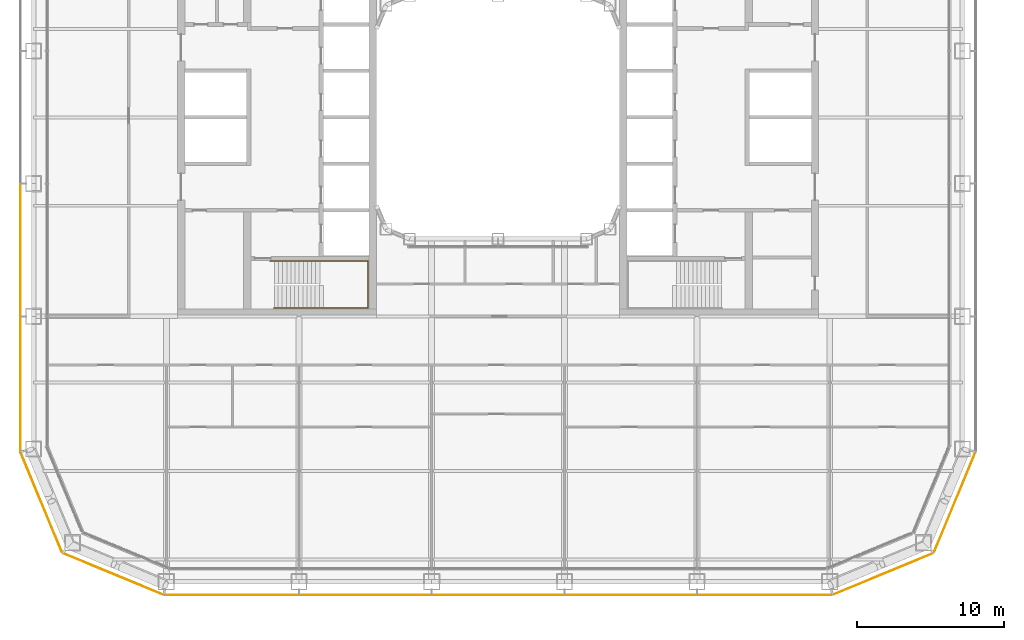
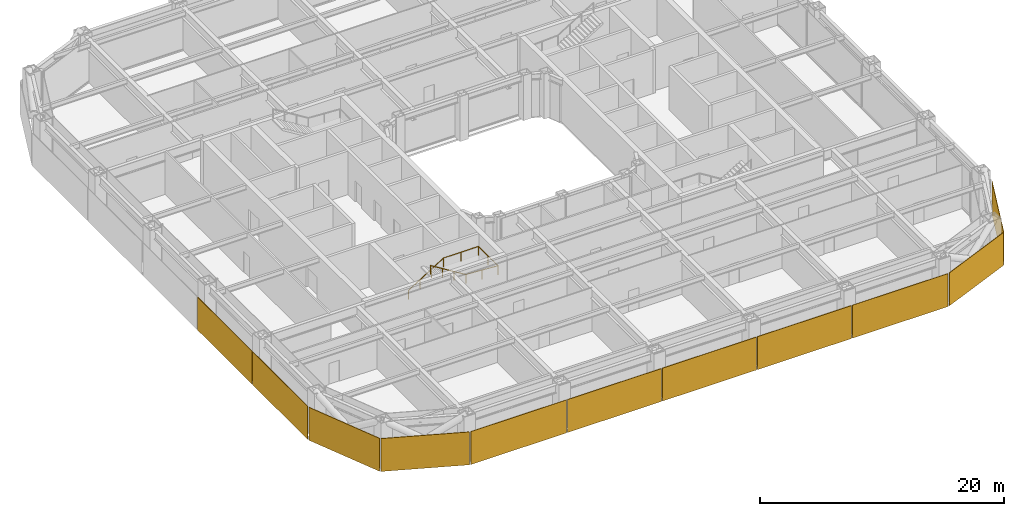
# One storey, part 25 of 30: 11 coverings, 1 railing.
"""IFC4 building model written with IfcOpenShell, lengths in metres."""

from ifc_helpers import new_model, si_unit, direction, frame, origin, origin_2d, place, context, subcontext, project, spatial, rectangle, circle, extrude, material, layer, layer_set, type_object, element, save


model = new_model("IFC4")

# Units and contexts
model_context = context("Model", 3, precision=1e-05, world=origin(), true_north=direction((0.0, 1.0)))
body_context = subcontext(model_context, "Body", "Model", "MODEL_VIEW")
ifc_project = project(units=[si_unit("LENGTHUNIT", "METRE"), si_unit("AREAUNIT", "SQUARE_METRE"), si_unit("VOLUMEUNIT", "CUBIC_METRE"), si_unit("PLANEANGLEUNIT", "RADIAN"), si_unit("MASSUNIT", "GRAM", prefix="KILO")], contexts=[model_context])

# Site, building, storey
site_placement = place(None, origin())
site = spatial("IfcSite", under=ifc_project, at=site_placement, CompositionType="ELEMENT")
building_placement = place(site_placement, origin())
building = spatial("IfcBuilding", under=site, at=building_placement, Name="Siwar Civic Tower", CompositionType="ELEMENT")
storey_placement = place(building_placement, frame((0.0, 0.0, 44.699951171875)))
storey = spatial("IfcBuildingStorey", under=building, at=storey_placement, Name="L09", CompositionType="ELEMENT", Elevation=44.699951171875)

# Railing
ifc_material_1 = material(Name="Stainless steel", Category="steel")
railing_type = type_object("IfcRailingType", Name="CORE-STAIR-HANDRAIL", PredefinedType="HANDRAIL", material=ifc_material_1)
railing_placement = place(storey_placement, frame((-15.449951171875, -9.758056640625, 0.173095703125)))
element("IfcRailing", 1, at=railing_placement, inside=storey, type_object=railing_type, Name="Stair handrail ST2", PredefinedType="HANDRAIL", context=body_context, shape_type="SweptSolid", body=[
    extrude(circle(Radius=0.02001953125, at=origin_2d()), frame((0.0, 0.0, 0.8798828125), z_axis=(0.847063342986, 0.0, 0.531491950051), x_axis=(0.0, 1.0, 0.0)), (0.0, 0.0, 1.0), 3.90771484375),
    extrude(circle(Radius=0.02001953125, at=origin_2d()), frame((3.31005859375, 0.0, 2.956787109375), z_axis=(1.0, 0.0, 0.0), x_axis=(0.0, 1.0, 0.0)), (0.0, 0.0, 1.0), 3.331787109375),
    extrude(circle(Radius=0.02001953125, at=origin_2d()), frame((6.641845703125, 0.0, 2.956787109375), z_axis=(0.0, -1.0, 0.0), x_axis=(1.0, 0.0, 0.0)), (0.0, 0.0, 1.0), 3.183837890625),
    extrude(circle(Radius=0.02001953125, at=origin_2d()), frame((6.641845703125, -3.183837890625, 2.956787109375), z_axis=(-0.99837434197, 0.0, 0.056997134106), x_axis=(0.0, -1.0, 0.0)), (0.0, 0.0, 1.0), 3.036865234375),
    extrude(circle(Radius=0.02001953125, at=origin_2d()), frame((3.60986328125, -3.183837890625, 3.1298828125), z_axis=(-0.850606129759, 0.0, 0.525803396734), x_axis=(0.0, -1.0, 0.0)), (0.0, 0.0, 1.0), 3.949951171875),
    extrude(circle(Radius=0.02001953125, at=origin_2d()), origin(), (0.0, 0.0, 1.0), 0.85986328125),
    extrude(circle(Radius=0.02001953125, at=origin_2d()), frame((1.103271484375, 0.0, 0.6923828125)), (0.0, 0.0, 1.0), 0.85986328125),
    extrude(circle(Radius=0.02001953125, at=origin_2d()), frame((2.206787109375, 0.0, 1.384521484375)), (0.0, 0.0, 1.0), 0.85986328125),
    extrude(circle(Radius=0.02001953125, at=origin_2d()), frame((3.31005859375, 0.0, 2.076904296875)), (0.0, 0.0, 1.0), 0.85986328125),
    extrude(circle(Radius=0.02001953125, at=origin_2d()), frame((4.97607421875, 0.0, 2.076904296875)), (0.0, 0.0, 1.0), 0.85986328125),
    extrude(circle(Radius=0.02001953125, at=origin_2d()), frame((6.641845703125, 0.0, 2.076904296875)), (0.0, 0.0, 1.0), 0.85986328125),
    extrude(circle(Radius=0.02001953125, at=origin_2d()), frame((6.641845703125, -1.591796875, 2.076904296875)), (0.0, 0.0, 1.0), 0.85986328125),
    extrude(circle(Radius=0.02001953125, at=origin_2d()), frame((6.641845703125, -3.183837890625, 2.076904296875)), (0.0, 0.0, 1.0), 0.85986328125),
    extrude(circle(Radius=0.02001953125, at=origin_2d()), frame((5.1259765625, -3.183837890625, 2.16357421875)), (0.0, 0.0, 1.0), 0.85986328125),
    extrude(circle(Radius=0.02001953125, at=origin_2d()), frame((3.60986328125, -3.183837890625, 2.25)), (0.0, 0.0, 1.0), 0.85986328125),
    extrude(circle(Radius=0.02001953125, at=origin_2d()), frame((2.489990234375, -3.183837890625, 2.9423828125)), (0.0, 0.0, 1.0), 0.85986328125),
    extrude(circle(Radius=0.02001953125, at=origin_2d()), frame((1.369873046875, -3.183837890625, 3.634521484375)), (0.0, 0.0, 1.0), 0.85986328125),
    extrude(circle(Radius=0.02001953125, at=origin_2d()), frame((0.25, -3.183837890625, 4.326904296875)), (0.0, 0.0, 1.0), 0.85986328125),
])

# Coverings
ifc_material_2 = material(Name="Perforated aluminium cassette, pale metal", Category="aluminium")
ifc_layer_1 = layer(ifc_material_2, 0.044921875)
ifc_layer_set_1 = layer_set([ifc_layer_1], Name="Perforated aluminium cassette, pale metal")
covering_type_1 = type_object("IfcCoveringType", Name="ENV-OUTER SKIN OS-2", PredefinedType="CLADDING", material=ifc_layer_set_1)
covering_1_placement = place(storey_placement, frame((30.976318359375, -26.115966796875, -0.14990234375), z_axis=(0.0, 0.0, 1.0), x_axis=(0.382683432365, 0.923879532511, 0.0)))
element("IfcCovering", 2, at=covering_1_placement, inside=storey, type_object=covering_type_1, Name="OUTER SKIN OS-2 SE2 1", PredefinedType="CLADDING", context=body_context, shape_type="SweptSolid", body=[
    extrude(rectangle(XDim=7.300048828125, YDim=0.044921875, at=origin_2d()), origin(), (0.0, 0.0, 1.0), 3.300048828125),
])
ifc_material_3 = material(Name="Perforated aluminium cassette, pale metal", Category="aluminium")
ifc_layer_2 = layer(ifc_material_3, 0.050048828125)
ifc_layer_set_2 = layer_set([ifc_layer_2], Name="Perforated aluminium cassette, pale metal")
covering_type_2 = type_object("IfcCoveringType", Name="ENV-OUTER SKIN OS-3", PredefinedType="CLADDING", material=ifc_layer_set_2)
covering_2_placement = place(storey_placement, frame((26.115966796875, -30.976318359375, -0.14990234375), z_axis=(0.0, 0.0, 1.0), x_axis=(0.923879532511, 0.382683432365, 0.0)))
element("IfcCovering", 3, at=covering_2_placement, inside=storey, type_object=covering_type_2, Name="OUTER SKIN OS-3 SE1 1", PredefinedType="CLADDING", context=body_context, shape_type="SweptSolid", body=[
    extrude(rectangle(XDim=7.300048828125, YDim=0.050048828125, at=origin_2d()), origin(), (0.0, 0.0, 1.0), 3.300048828125),
])
covering_3_placement = place(storey_placement, frame((-32.39990234375, -9.0, -0.14990234375), z_axis=(0.0, 0.0, 1.0), x_axis=(0.0, -1.0, 0.0)))
element("IfcCovering", 4, at=covering_3_placement, inside=storey, type_object=covering_type_2, Name="OUTER SKIN OS-3 W 4", PredefinedType="CLADDING", context=body_context, shape_type="SweptSolid", body=[
    extrude(rectangle(XDim=8.89990234375, YDim=0.050048828125, at=origin_2d()), origin(), (0.0, 0.0, 1.0), 3.300048828125),
])
covering_4_placement = place(storey_placement, frame((-32.39990234375, -18.07958984375, -0.14990234375), z_axis=(0.0, 0.0, 1.0), x_axis=(0.0, -1.0, 0.0)))
element("IfcCovering", 5, at=covering_4_placement, inside=storey, type_object=covering_type_2, Name="OUTER SKIN OS-3 W 5", PredefinedType="CLADDING", context=body_context, shape_type="SweptSolid", body=[
    extrude(rectangle(XDim=9.05908203125, YDim=0.050048828125, at=origin_2d()), origin(), (0.0, 0.0, 1.0), 3.300048828125),
])
ifc_material_4 = material(Name="Perforated aluminium cassette, pale metal", Category="aluminium")
ifc_layer_3 = layer(ifc_material_4, 0.054931640625)
ifc_layer_set_3 = layer_set([ifc_layer_3], Name="Perforated aluminium cassette, pale metal")
covering_type_3 = type_object("IfcCoveringType", Name="ENV-OUTER SKIN OS-4", PredefinedType="CLADDING", material=ifc_layer_set_3)
covering_5_placement = place(storey_placement, frame((-18.07958984375, -32.39990234375, -0.14990234375), z_axis=(0.0, 0.0, 1.0), x_axis=(1.0, 0.0, 0.0)))
element("IfcCovering", 6, at=covering_5_placement, inside=storey, type_object=covering_type_3, Name="OUTER SKIN OS-4 S 1", PredefinedType="CLADDING", context=body_context, shape_type="SweptSolid", body=[
    extrude(rectangle(XDim=9.05908203125, YDim=0.054931640625, at=origin_2d()), origin(), (0.0, 0.0, 1.0), 3.300048828125),
])
for number, where, z_axis, x_axis, name in (
    (7, (-9.0, -32.39990234375, -0.14990234375), (0.0, 0.0, 1.0), (1.0, 0.0, 0.0), "OUTER SKIN OS-4 S 2"),
    (8, (0.0, -32.39990234375, -0.14990234375), (0.0, 0.0, 1.0), (1.0, 0.0, 0.0), "OUTER SKIN OS-4 S 3"),
    (9, (9.0, -32.39990234375, -0.14990234375), (0.0, 0.0, 1.0), (1.0, 0.0, 0.0), "OUTER SKIN OS-4 S 4"),
):
    element("IfcCovering", number, at=place(storey_placement, frame(where, z_axis=z_axis, x_axis=x_axis)), inside=storey, type_object=covering_type_3, Name=name, PredefinedType="CLADDING", context=body_context, shape_type="SweptSolid", body=[
        extrude(rectangle(XDim=8.89990234375, YDim=0.054931640625, at=origin_2d()), origin(), (0.0, 0.0, 1.0), 3.300048828125),
    ])
covering_6_placement = place(storey_placement, frame((18.07958984375, -32.39990234375, -0.14990234375), z_axis=(0.0, 0.0, 1.0), x_axis=(1.0, 0.0, 0.0)))
element("IfcCovering", 10, at=covering_6_placement, inside=storey, type_object=covering_type_3, Name="OUTER SKIN OS-4 S 5", PredefinedType="CLADDING", context=body_context, shape_type="SweptSolid", body=[
    extrude(rectangle(XDim=9.05908203125, YDim=0.054931640625, at=origin_2d()), origin(), (0.0, 0.0, 1.0), 3.300048828125),
])
for number, where, z_axis, x_axis, name in (
    (11, (-30.976318359375, -26.115966796875, -0.14990234375), (0.0, 0.0, 1.0), (0.382683432365, -0.923879532511, 0.0), "OUTER SKIN OS-4 SW1 1"),
    (12, (-26.115966796875, -30.976318359375, -0.14990234375), (0.0, 0.0, 1.0), (0.923879532511, -0.382683432365, 0.0), "OUTER SKIN OS-4 SW2 1"),
):
    element("IfcCovering", number, at=place(storey_placement, frame(where, z_axis=z_axis, x_axis=x_axis)), inside=storey, type_object=covering_type_3, Name=name, PredefinedType="CLADDING", context=body_context, shape_type="SweptSolid", body=[
        extrude(rectangle(XDim=7.300048828125, YDim=0.054931640625, at=origin_2d()), origin(), (0.0, 0.0, 1.0), 3.300048828125),
    ])

save(model, "model.ifc")
